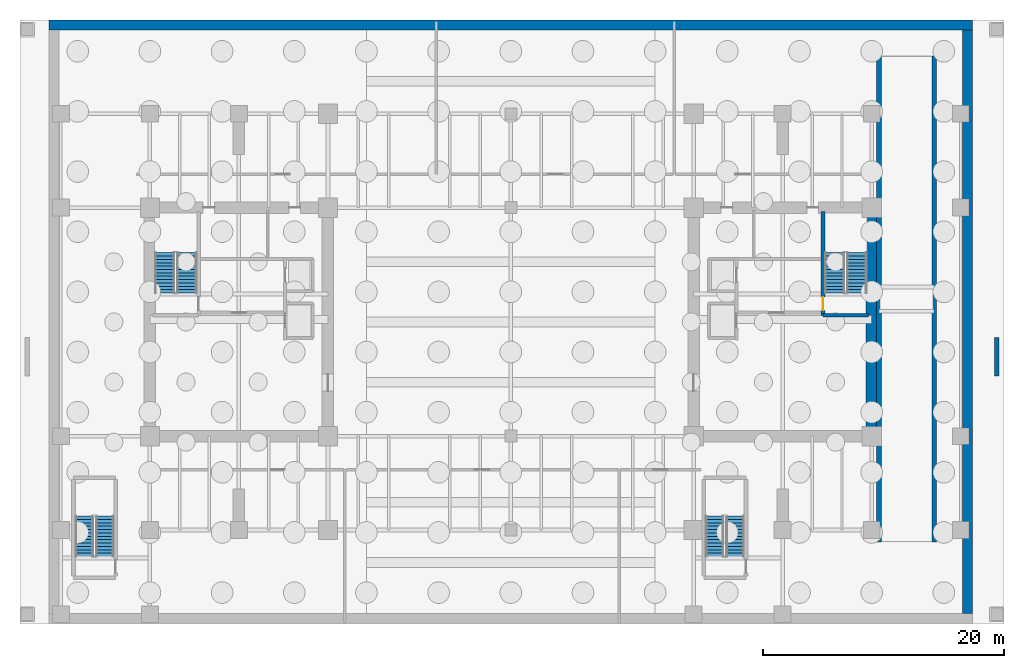
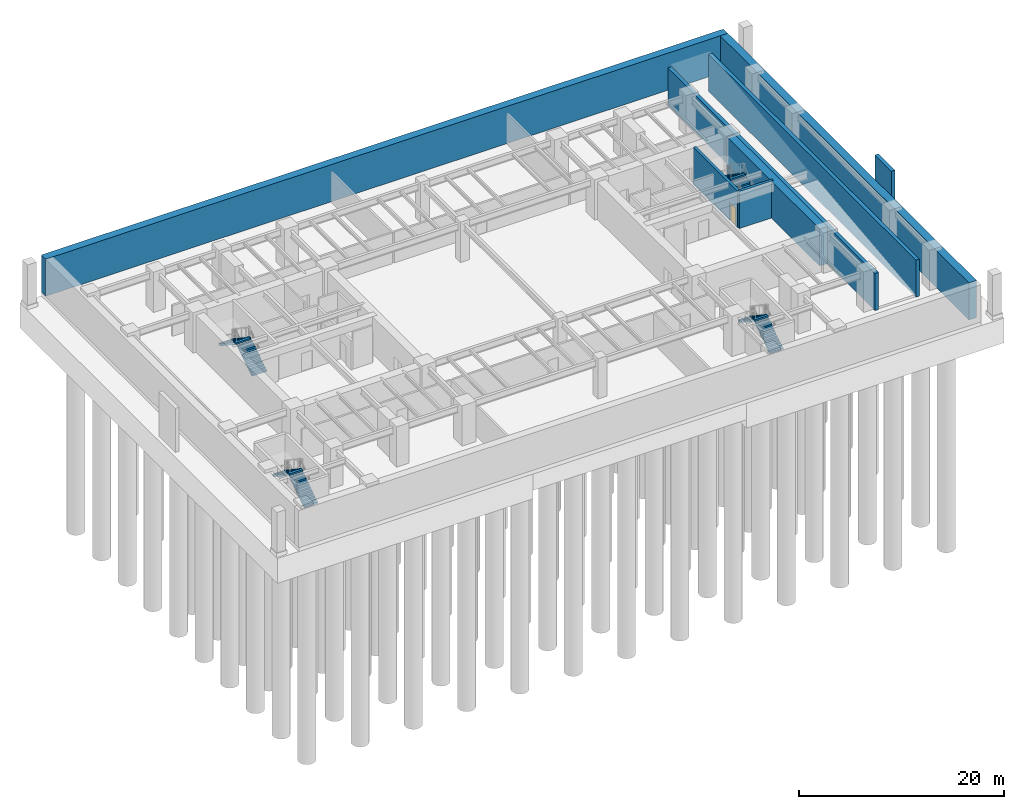
# One storey, part 5 of 8: 8 stair flights, 8 walls, 1 door, 1 opening, 4 elements without a shape of their own.
"""IFC4 building model written with IfcOpenShell, lengths in metres."""

from ifc_helpers import new_model, si_unit, direction, frame, frame_2d, origin, place, context, subcontext, project, spatial, polyline, rectangle, outline, extrude, source, transform, mapped, material, layer, layer_set, type_object, type_shapes, element, fill, aggregate, save


model = new_model("IFC4")

# Units and contexts
model_context = context("Model", 3, precision=1e-05, world=origin(), true_north=direction((0.0, 1.0)))
body_context = subcontext(model_context, "Body", "Model", "MODEL_VIEW")
ifc_project = project(units=[si_unit("LENGTHUNIT", "METRE"), si_unit("AREAUNIT", "SQUARE_METRE"), si_unit("VOLUMEUNIT", "CUBIC_METRE"), si_unit("PLANEANGLEUNIT", "RADIAN"), si_unit("MASSUNIT", "GRAM", prefix="KILO")], contexts=[model_context])

# Site, building, storey
site_placement = place(None, origin())
site = spatial("IfcSite", under=ifc_project, at=site_placement, CompositionType="ELEMENT")
building_placement = place(site_placement, origin())
building = spatial("IfcBuilding", under=site, at=building_placement, Name="Haelvirn Gate Laboratories", CompositionType="ELEMENT")
storey_placement = place(building_placement, frame((0.0, 0.0, -14.39990234375)))
storey = spatial("IfcBuildingStorey", under=building, at=storey_placement, Name="B3", CompositionType="ELEMENT", Elevation=-14.39990234375)

# Walls
ifc_material_1 = material(Name="Concrete C70/85", Category="concrete")
ifc_layer_1 = layer(ifc_material_1, 0.949951171875, Name="SW-CORE-950")
ifc_layer_set_1 = layer_set([ifc_layer_1], Name="Concrete C70/85")
wall_type_1 = type_object("IfcWallType", Name="SW-CORE-950", PredefinedType="SHEAR", material=ifc_layer_set_1)
wall_1_placement = place(storey_placement, frame((67.39990234375, 15.27490234375, 0.0), z_axis=(0.0, 0.0, 1.0), x_axis=(0.0, 1.0, 0.0)))
element("IfcWall", 1, at=wall_1_placement, inside=storey, type_object=wall_type_1, Name="B3 E Core Shear Wall E", PredefinedType="SHEAR", context=body_context, shape_type="SweptSolid", body=[
    extrude(rectangle(XDim=18.050048828125, YDim=0.949951171875, at=frame_2d((9.02490234375, 0.0))), origin(), (0.0, 0.0, 1.0), 4.419921875),
])
ifc_material_2 = material(Name="Concrete C50/60", Category="concrete")
ifc_layer_2 = layer(ifc_material_2, 0.39990234375, Name="SW-PLINTH-400")
ifc_layer_set_2 = layer_set([ifc_layer_2], Name="Concrete C50/60")
wall_type_2 = type_object("IfcWallType", Name="SW-PLINTH-400", PredefinedType="SOLIDWALL", material=ifc_layer_set_2)
wall_2_placement = place(storey_placement, frame((77.800048828125, 19.800048828125, -0.4501953125), z_axis=(0.0, 0.0, 1.0), x_axis=(0.0, 1.0, 0.0)))
element("IfcWall", 2, at=wall_2_placement, inside=storey, type_object=wall_type_2, Name="B3 East Accessible Ramp Plinth Wall", PredefinedType="SOLIDWALL", context=body_context, shape_type="SweptSolid", body=[
    extrude(rectangle(XDim=3.199951171875, YDim=0.39990234375, at=frame_2d((1.60009765625, 0.0))), origin(), (0.0, 0.0, 1.0), 5.25),
])
ifc_layer_3 = layer(ifc_material_2, 0.39990234375, Name="SW-RAMP-400")
ifc_layer_set_3 = layer_set([ifc_layer_3], Name="Concrete C50/60")
wall_type_3 = type_object("IfcWallType", Name="SW-RAMP-400", PredefinedType="SHEAR", material=ifc_layer_set_3)
for number, where, z_axis, x_axis, name in (
    (3, (68.0, 6.0, 0.0), (0.0, 0.0, 1.0), (0.0, 1.0, 0.0), "B3 Vehicle Ramp Enclosure Wall W"),
    (4, (72.60009765625, 6.0, 0.0), (0.0, 0.0, 1.0), (0.0, 1.0, 0.0), "B3 Vehicle Ramp Enclosure Wall E"),
):
    element("IfcWall", number, at=place(storey_placement, frame(where, z_axis=z_axis, x_axis=x_axis)), inside=storey, type_object=wall_type_3, Name=name, PredefinedType="SHEAR", context=body_context, shape_type="SweptSolid", body=[
        extrude(rectangle(XDim=40.39990234375, YDim=0.39990234375, at=frame_2d((20.199951171875, 0.0))), origin(), (0.0, 0.0, 1.0), 4.419921875),
    ])
ifc_layer_4 = layer(ifc_material_2, 0.85009765625, Name="SW-RET-850")
ifc_layer_set_4 = layer_set([ifc_layer_4], Name="Concrete C50/60")
wall_type_4 = type_object("IfcWallType", Name="SW-RET-850", PredefinedType="SOLIDWALL", material=ifc_layer_set_4)
wall_3_placement = place(storey_placement, frame((-1.0, 48.97509765625, 0.0), z_axis=(0.0, 0.0, 1.0), x_axis=(1.0, 0.0, 0.0)))
element("IfcWall", 5, at=wall_3_placement, inside=storey, type_object=wall_type_4, Name="B3 Perimeter Diaphragm Wall N", PredefinedType="SOLIDWALL", context=body_context, shape_type="SweptSolid", body=[
    extrude(rectangle(XDim=76.800048828125, YDim=0.85009765625, at=frame_2d((38.39990234375, 0.0))), origin(), (0.0, 0.0, 1.0), 4.419921875),
])
wall_4_placement = place(storey_placement, frame((75.375, 0.050048828125, 0.0), z_axis=(0.0, 0.0, 1.0), x_axis=(0.0, 1.0, 0.0)))
element("IfcWall", 6, at=wall_4_placement, inside=storey, type_object=wall_type_4, Name="B3 Perimeter Diaphragm Wall E", PredefinedType="SOLIDWALL", context=body_context, shape_type="SweptSolid", body=[
    extrude(rectangle(XDim=48.5, YDim=0.85009765625, at=frame_2d((24.25, 0.0))), origin(), (0.0, 0.0, 1.0), 4.419921875),
])

# Wall, opening, door
ifc_layer_5 = layer(ifc_material_2, 0.300048828125, Name="SW-STAIR-300")
ifc_layer_set_5 = layer_set([ifc_layer_5], Name="Concrete C50/60")
wall_type_5 = type_object("IfcWallType", Name="SW-STAIR-300", PredefinedType="SHEAR", material=ifc_layer_set_5)
wall_5_placement = place(storey_placement, frame((63.35009765625, 24.85009765625, 0.0), z_axis=(0.0, 0.0, 1.0), x_axis=(0.0, 1.0, 0.0)))
wall_5 = element("IfcWall", 7, at=wall_5_placement, inside=storey, type_object=wall_type_5, Name="B3 E Core Stair Shaft Structural Wall IN", PredefinedType="SHEAR", context=body_context, shape_type="SweptSolid", body=[
    extrude(rectangle(XDim=8.6298828125, YDim=0.300048828125, at=frame_2d((4.31494140625, 0.0))), origin(), (0.0, 0.0, 1.0), 4.419921875),
])
opening_placement = place(wall_5_placement, frame((0.419921875, 0.0, 0.0)))
opening = element("IfcOpeningElement", 8, at=opening_placement, cuts=wall_5, Name="Opening FD3", PredefinedType="OPENING", context=body_context, shape_type="SweptSolid", body=[
    extrude(rectangle(XDim=1.10009765625, YDim=2.14990234375, at=frame_2d((0.550048828125, 1.074951171875))), frame((0.0, 0.16015625, 0.0), z_axis=(0.0, -1.0, 0.0), x_axis=(1.0, 0.0, 0.0)), (0.0, 0.0, 1.0), 0.320068359375),
])
ifc_material_3 = material(Name="Fire-rated steel SM355 escape stair door", Category="steel")
door_type = type_object("IfcDoorType", Name="DR-FD-1100", OperationType="NOTDEFINED", PredefinedType="DOOR", material=ifc_material_3)
shared_shape_1 = source(origin(), body_context, "Body", "SweptSolid", [
    extrude(rectangle(XDim=1.10009765625, YDim=2.14990234375, at=frame_2d((0.550048828125, 1.074951171875))), frame((0.0, 0.02490234375, 0.0), z_axis=(0.0, -1.0, 0.0), x_axis=(1.0, 0.0, 0.0)), (0.0, 0.0, 1.0), 0.050048828125),
])
type_shapes(door_type, [shared_shape_1])
door_placement = place(opening_placement, origin())
door = element("IfcDoor", 9, at=door_placement, inside=storey, type_object=door_type, Name="B3 Escape Stair ST2 Fire Door", OperationType="SINGLE_SWING_RIGHT", OverallHeight=2.14990234375, OverallWidth=1.10009765625, PredefinedType="DOOR", context=body_context, shape_type="MappedRepresentation", body=[
    mapped(shared_shape_1, transform((0.0, 0.0, 0.0), scale=1.0)),
])
fill(opening, door)

# Wall
wall_6_placement = place(storey_placement, frame((63.35009765625, 24.85009765625, 0.0), z_axis=(0.0, 0.0, 1.0), x_axis=(1.0, 0.0, 0.0)))
element("IfcWall", 10, at=wall_6_placement, inside=storey, type_object=wall_type_5, Name="B3 E Core Stair Shaft Structural Wall S", PredefinedType="SHEAR", context=body_context, shape_type="SweptSolid", body=[
    extrude(rectangle(XDim=3.7998046875, YDim=0.300048828125, at=frame_2d((1.89990234375, 0.0))), origin(), (0.0, 0.0, 1.0), 4.419921875),
])

# Stair, stair flights
ifc_material_4 = material(Name="Concrete C40/50", Category="concrete")
stair_type_1 = type_object("IfcStairType", Name="ST-DOG-1650-R26", PredefinedType="HALF_TURN_STAIR", material=ifc_material_4)
stair_1_placement = place(storey_placement, origin())
stair_1 = element("IfcStair", 11, at=stair_1_placement, inside=storey, type_object=stair_type_1, Name="B3 Escape Stair ST1", PredefinedType="HALF_TURN_STAIR")
stair_flight_type_1 = type_object("IfcStairFlightType", Name="STF-1650-R13", PredefinedType="STRAIGHT", material=ifc_material_4)
shared_shape_2 = source(origin(), body_context, "Body", "SweptSolid", [
    extrude(outline(polyline([(0.0, 0.0), (0.0, 0.1845703125), (0.280029296875, 0.1845703125), (0.280029296875, 0.369140625), (0.56005859375, 0.369140625), (0.56005859375, 0.553955078125), (0.840087890625, 0.553955078125), (0.840087890625, 0.738525390625), (1.1201171875, 0.738525390625), (1.1201171875, 0.923095703125), (1.39990234375, 0.923095703125), (1.39990234375, 1.107666015625), (1.679931640625, 1.107666015625), (1.679931640625, 1.292236328125), (1.9599609375, 1.292236328125), (1.9599609375, 1.476806640625), (2.239990234375, 1.476806640625), (2.239990234375, 1.66162109375), (2.52001953125, 1.66162109375), (2.52001953125, 1.84619140625), (2.800048828125, 1.84619140625), (2.800048828125, 2.03076171875), (3.080078125, 2.03076171875), (3.080078125, 2.21533203125), (3.360107421875, 2.21533203125), (3.360107421875, 2.39990234375), (3.360107421875, 2.02392578125), (0.29052734375, 0.0), (0.0, 0.0)])), frame((0.0, 0.824951171875, 0.0), z_axis=(0.0, -1.0, 0.0), x_axis=(1.0, 0.0, 0.0)), (0.0, 0.0, 1.0), 1.64990234375),
])
type_shapes(stair_flight_type_1, [shared_shape_2])
stair_flight_1_placement = place(storey_placement, frame((10.47509765625, 26.699951171875, 0.0), z_axis=(0.0, 0.0, 1.0), x_axis=(0.0, 1.0, 0.0)))
stair_flight_1 = element("IfcStairFlight", 12, at=stair_flight_1_placement, type_object=stair_flight_type_1, Name="ST1 flight 1", NumberOfRisers=13, NumberOfTreads=12, PredefinedType="STRAIGHT", RiserHeight=0.184615385, TreadLength=0.28, context=body_context, shape_type="MappedRepresentation", body=[
    mapped(shared_shape_2, transform((0.0, 0.0, 0.0), scale=1.0)),
])
stair_flight_2_placement = place(storey_placement, frame((8.625, 30.06005859375, 2.39990234375), z_axis=(0.0, 0.0, 1.0), x_axis=(0.0, -1.0, 0.0)))
stair_flight_2 = element("IfcStairFlight", 13, at=stair_flight_2_placement, type_object=stair_flight_type_1, Name="ST1 flight 2", NumberOfRisers=13, NumberOfTreads=12, PredefinedType="STRAIGHT", RiserHeight=0.184615385, TreadLength=0.28, context=body_context, shape_type="MappedRepresentation", body=[
    mapped(shared_shape_2, transform((0.0, 0.0, 0.0), scale=1.0)),
])
aggregate(stair_1, [stair_flight_1, stair_flight_2])

stair_2_placement = place(storey_placement, origin())
stair_2 = element("IfcStair", 14, at=stair_2_placement, inside=storey, type_object=stair_type_1, Name="B3 Escape Stair ST2", PredefinedType="HALF_TURN_STAIR")
stair_flight_3_placement = place(storey_placement, frame((66.175048828125, 26.699951171875, 0.0), z_axis=(0.0, 0.0, 1.0), x_axis=(0.0, 1.0, 0.0)))
stair_flight_3 = element("IfcStairFlight", 15, at=stair_flight_3_placement, type_object=stair_flight_type_1, Name="ST2 flight 1", NumberOfRisers=13, NumberOfTreads=12, PredefinedType="STRAIGHT", RiserHeight=0.184615385, TreadLength=0.28, context=body_context, shape_type="MappedRepresentation", body=[
    mapped(shared_shape_2, transform((0.0, 0.0, 0.0), scale=1.0)),
])
stair_flight_4_placement = place(storey_placement, frame((64.324951171875, 30.06005859375, 2.39990234375), z_axis=(0.0, 0.0, 1.0), x_axis=(0.0, -1.0, 0.0)))
stair_flight_4 = element("IfcStairFlight", 16, at=stair_flight_4_placement, type_object=stair_flight_type_1, Name="ST2 flight 2", NumberOfRisers=13, NumberOfTreads=12, PredefinedType="STRAIGHT", RiserHeight=0.184615385, TreadLength=0.28, context=body_context, shape_type="MappedRepresentation", body=[
    mapped(shared_shape_2, transform((0.0, 0.0, 0.0), scale=1.0)),
])
aggregate(stair_2, [stair_flight_3, stair_flight_4])

stair_type_2 = type_object("IfcStairType", Name="ST-DOG-1500-R26", PredefinedType="HALF_TURN_STAIR", material=ifc_material_4)
stair_3_placement = place(storey_placement, origin())
stair_3 = element("IfcStair", 17, at=stair_3_placement, inside=storey, type_object=stair_type_2, Name="B3 Escape Stair ST3", PredefinedType="HALF_TURN_STAIR")
stair_flight_type_2 = type_object("IfcStairFlightType", Name="STF-1500-R13", PredefinedType="STRAIGHT", material=ifc_material_4)
shared_shape_3 = source(origin(), body_context, "Body", "SweptSolid", [
    extrude(outline(polyline([(0.0, 0.0), (0.0, 0.1845703125), (0.280029296875, 0.1845703125), (0.280029296875, 0.369140625), (0.56005859375, 0.369140625), (0.56005859375, 0.553955078125), (0.840087890625, 0.553955078125), (0.840087890625, 0.738525390625), (1.1201171875, 0.738525390625), (1.1201171875, 0.923095703125), (1.39990234375, 0.923095703125), (1.39990234375, 1.107666015625), (1.679931640625, 1.107666015625), (1.679931640625, 1.292236328125), (1.9599609375, 1.292236328125), (1.9599609375, 1.476806640625), (2.239990234375, 1.476806640625), (2.239990234375, 1.66162109375), (2.52001953125, 1.66162109375), (2.52001953125, 1.84619140625), (2.800048828125, 1.84619140625), (2.800048828125, 2.03076171875), (3.080078125, 2.03076171875), (3.080078125, 2.21533203125), (3.360107421875, 2.21533203125), (3.360107421875, 2.39990234375), (3.360107421875, 2.02392578125), (0.29052734375, 0.0), (0.0, 0.0)])), frame((0.0, 0.75, 0.0), z_axis=(0.0, -1.0, 0.0), x_axis=(1.0, 0.0, 0.0)), (0.0, 0.0, 1.0), 1.5),
])
type_shapes(stair_flight_type_2, [shared_shape_3])
stair_flight_5_placement = place(storey_placement, frame((3.64990234375, 4.800048828125, 0.0), z_axis=(0.0, 0.0, 1.0), x_axis=(0.0, 1.0, 0.0)))
stair_flight_5 = element("IfcStairFlight", 18, at=stair_flight_5_placement, type_object=stair_flight_type_2, Name="ST3 flight 1", NumberOfRisers=13, NumberOfTreads=12, PredefinedType="STRAIGHT", RiserHeight=0.184615385, TreadLength=0.28, context=body_context, shape_type="MappedRepresentation", body=[
    mapped(shared_shape_3, transform((0.0, 0.0, 0.0), scale=1.0)),
])
stair_flight_6_placement = place(storey_placement, frame((1.949951171875, 8.159912109375, 2.39990234375), z_axis=(0.0, 0.0, 1.0), x_axis=(0.0, -1.0, 0.0)))
stair_flight_6 = element("IfcStairFlight", 19, at=stair_flight_6_placement, type_object=stair_flight_type_2, Name="ST3 flight 2", NumberOfRisers=13, NumberOfTreads=12, PredefinedType="STRAIGHT", RiserHeight=0.184615385, TreadLength=0.28, context=body_context, shape_type="MappedRepresentation", body=[
    mapped(shared_shape_3, transform((0.0, 0.0, 0.0), scale=1.0)),
])
aggregate(stair_3, [stair_flight_5, stair_flight_6])

stair_4_placement = place(storey_placement, origin())
stair_4 = element("IfcStair", 20, at=stair_4_placement, inside=storey, type_object=stair_type_2, Name="B3 Escape Stair ST4", PredefinedType="HALF_TURN_STAIR")
stair_flight_7_placement = place(storey_placement, frame((56.050048828125, 4.800048828125, 0.0), z_axis=(0.0, 0.0, 1.0), x_axis=(0.0, 1.0, 0.0)))
stair_flight_7 = element("IfcStairFlight", 21, at=stair_flight_7_placement, type_object=stair_flight_type_2, Name="ST4 flight 1", NumberOfRisers=13, NumberOfTreads=12, PredefinedType="STRAIGHT", RiserHeight=0.184615385, TreadLength=0.28, context=body_context, shape_type="MappedRepresentation", body=[
    mapped(shared_shape_3, transform((0.0, 0.0, 0.0), scale=1.0)),
])
stair_flight_8_placement = place(storey_placement, frame((54.35009765625, 8.159912109375, 2.39990234375), z_axis=(0.0, 0.0, 1.0), x_axis=(0.0, -1.0, 0.0)))
stair_flight_8 = element("IfcStairFlight", 22, at=stair_flight_8_placement, type_object=stair_flight_type_2, Name="ST4 flight 2", NumberOfRisers=13, NumberOfTreads=12, PredefinedType="STRAIGHT", RiserHeight=0.184615385, TreadLength=0.28, context=body_context, shape_type="MappedRepresentation", body=[
    mapped(shared_shape_3, transform((0.0, 0.0, 0.0), scale=1.0)),
])
aggregate(stair_4, [stair_flight_7, stair_flight_8])

save(model, "model.ifc")
